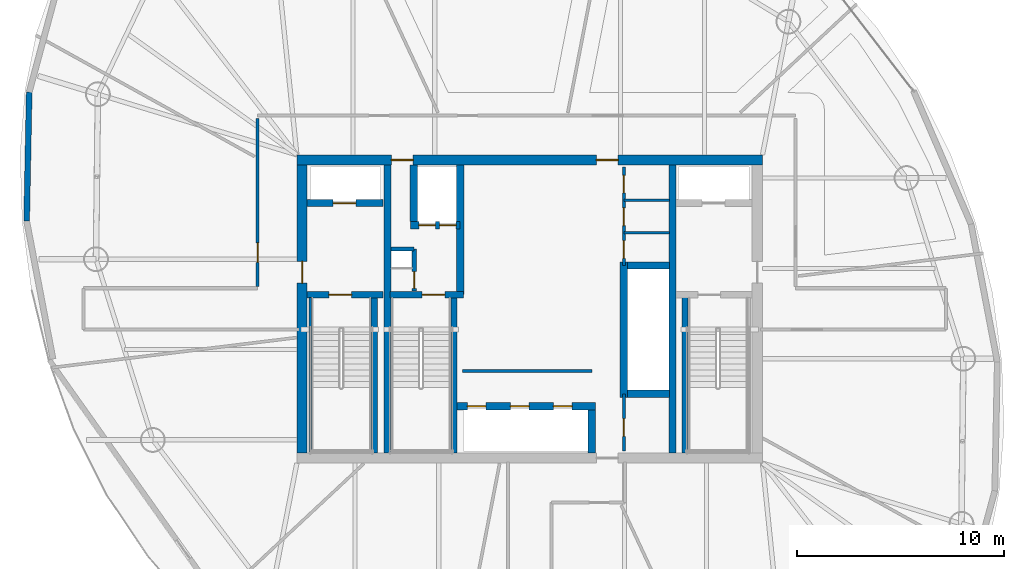
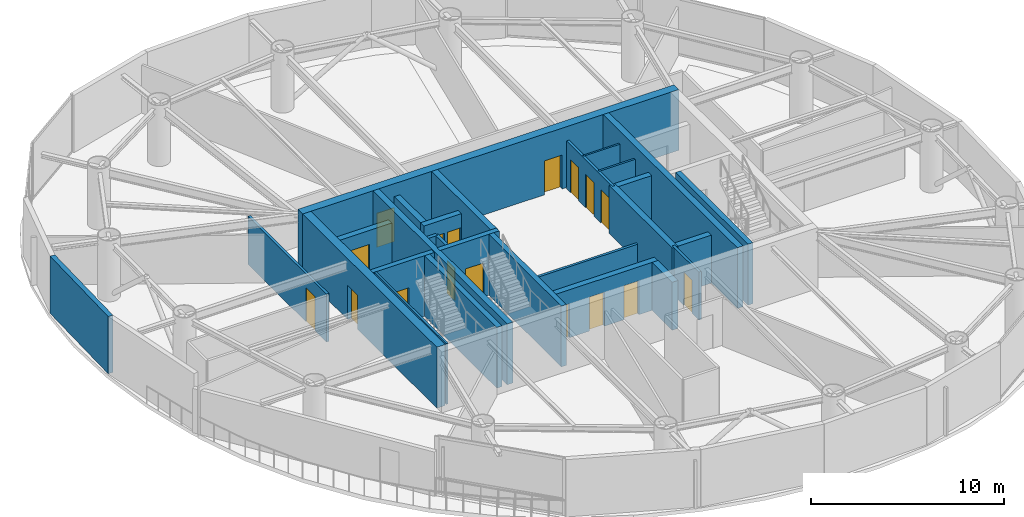
# One storey, part 12 of 16: 28 walls, 17 doors, 17 openings.
"""IFC4 building model written with IfcOpenShell, lengths in metres."""

from ifc_helpers import new_model, si_unit, direction, frame, frame_2d, origin, place, context, subcontext, project, spatial, rectangle, extrude, material, layer, layer_set, type_object, element, fill, save


model = new_model("IFC4")

# Units and contexts
model_context = context("Model", 3, precision=1e-05, world=origin(), true_north=direction((0.0, 1.0)))
body_context = subcontext(model_context, "Body", "Model", "MODEL_VIEW")
ifc_project = project(units=[si_unit("LENGTHUNIT", "METRE"), si_unit("AREAUNIT", "SQUARE_METRE"), si_unit("VOLUMEUNIT", "CUBIC_METRE"), si_unit("PLANEANGLEUNIT", "RADIAN"), si_unit("MASSUNIT", "GRAM", prefix="KILO")], contexts=[model_context])

# Site, building, storey
site_placement = place(None, origin())
site = spatial("IfcSite", under=ifc_project, at=site_placement, CompositionType="ELEMENT")
building_placement = place(site_placement, origin())
building = spatial("IfcBuilding", under=site, at=building_placement, Name="Bramvorn Convention Spire", CompositionType="ELEMENT")
storey_placement = place(building_placement, frame((0.0, 0.0, 209.699951171875)))
storey = spatial("IfcBuildingStorey", under=building, at=storey_placement, Name="L53", CompositionType="ELEMENT", Elevation=209.699951171875)

# Wall, openings, doors
ifc_material_1 = material(Name="Concrete C50/60", Category="concrete")
ifc_layer_1 = layer(ifc_material_1, 0.5)
ifc_layer_set_1 = layer_set([ifc_layer_1], Name="Concrete C50/60 - WL-CORE-500")
wall_type_1 = type_object("IfcWallType", Name="WL-CORE-500", PredefinedType="SHEAR", material=ifc_layer_set_1)
wall_1_placement = place(storey_placement, frame((26.75, 33.199951171875, 0.0), z_axis=(0.0, 0.0, 1.0), x_axis=(1.0, 0.0, 0.0)))
wall_1 = element("IfcWall", 1, at=wall_1_placement, inside=storey, type_object=wall_type_1, Name="L53 North RC core shear wall", PredefinedType="SHEAR", context=body_context, shape_type="SweptSolid", body=[
    extrude(rectangle(XDim=22.5, YDim=0.5, at=frame_2d((11.25, 0.0))), origin(), (0.0, 0.0, 1.0), 3.85009765625),
])
opening_1_placement = place(wall_1_placement, frame((4.570068359375, 0.0, 0.0)))
opening_1 = element("IfcOpeningElement", 2, at=opening_1_placement, cuts=wall_1, Name="Opening DL-105", PredefinedType="OPENING", context=body_context, shape_type="SweptSolid", body=[
    extrude(rectangle(XDim=1.050048828125, YDim=2.14990234375, at=frame_2d((0.52490234375, 1.074951171875))), frame((0.0, 0.260009765625, 0.0), z_axis=(0.0, -1.0, 0.0), x_axis=(1.0, 0.0, 0.0)), (0.0, 0.0, 1.0), 0.52001953125),
])
opening_2_placement = place(wall_1_placement, frame((14.469970703125, 0.0, 0.0)))
opening_2 = element("IfcOpeningElement", 3, at=opening_2_placement, cuts=wall_1, Name="Opening DL-105", PredefinedType="OPENING", context=body_context, shape_type="SweptSolid", body=[
    extrude(rectangle(XDim=1.050048828125, YDim=2.14990234375, at=frame_2d((0.52490234375, 1.074951171875))), frame((0.0, 0.260009765625, 0.0), z_axis=(0.0, -1.0, 0.0), x_axis=(1.0, 0.0, 0.0)), (0.0, 0.0, 1.0), 0.52001953125),
])
ifc_material_2 = material(Name="Smoke-Sealed Fire Lobby Timber-Core Door", Category="wood")
door_type_1 = type_object("IfcDoorType", Name="DR-LOBBY-1050", OperationType="NOTDEFINED", PredefinedType="DOOR", material=ifc_material_2)
door_1_placement = place(opening_1_placement, origin())
door_1 = element("IfcDoor", 4, at=door_1_placement, inside=storey, type_object=door_type_1, Name="L53 Service & Stair ST3 Lobby north corridor door", OperationType="SINGLE_SWING_LEFT", OverallHeight=2.14990234375, OverallWidth=1.050048828125, PredefinedType="DOOR", context=body_context, shape_type="SweptSolid", body=[
    extrude(rectangle(XDim=1.050048828125, YDim=2.14990234375, at=frame_2d((0.52490234375, 1.074951171875))), frame((0.0, 0.02490234375, 0.0), z_axis=(0.0, -1.0, 0.0), x_axis=(1.0, 0.0, 0.0)), (0.0, 0.0, 1.0), 0.050048828125),
])
fill(opening_1, door_1)
door_2_placement = place(opening_2_placement, origin())
door_2 = element("IfcDoor", 5, at=door_2_placement, inside=storey, type_object=door_type_1, Name="L53 North Lift Lobby fire door", OperationType="SINGLE_SWING_LEFT", OverallHeight=2.14990234375, OverallWidth=1.050048828125, PredefinedType="DOOR", context=body_context, shape_type="SweptSolid", body=[
    extrude(rectangle(XDim=1.050048828125, YDim=2.14990234375, at=frame_2d((0.52490234375, 1.074951171875))), frame((0.0, 0.02490234375, 0.0), z_axis=(0.0, -1.0, 0.0), x_axis=(1.0, 0.0, 0.0)), (0.0, 0.0, 1.0), 0.050048828125),
])
fill(opening_2, door_2)

# Wall, opening, door
wall_2_placement = place(storey_placement, frame((27.0, 19.050048828125, 0.0), z_axis=(0.0, 0.0, 1.0), x_axis=(0.0, 1.0, 0.0)))
wall_2 = element("IfcWall", 6, at=wall_2_placement, inside=storey, type_object=wall_type_1, Name="L53 West RC core shear wall", PredefinedType="SHEAR", context=body_context, shape_type="SweptSolid", body=[
    extrude(rectangle(XDim=13.89990234375, YDim=0.5, at=frame_2d((6.949951171875, 0.0))), origin(), (0.0, 0.0, 1.0), 3.85009765625),
])
opening_3_placement = place(wall_2_placement, frame((8.199951171875, 0.0, 0.0)))
opening_3 = element("IfcOpeningElement", 7, at=opening_3_placement, cuts=wall_2, Name="Opening DL-105", PredefinedType="OPENING", context=body_context, shape_type="SweptSolid", body=[
    extrude(rectangle(XDim=1.050048828125, YDim=2.14990234375, at=frame_2d((0.52490234375, 1.074951171875))), frame((0.0, 0.260009765625, 0.0), z_axis=(0.0, -1.0, 0.0), x_axis=(1.0, 0.0, 0.0)), (0.0, 0.0, 1.0), 0.52001953125),
])
door_3_placement = place(opening_3_placement, origin())
door_3 = element("IfcDoor", 8, at=door_3_placement, inside=storey, type_object=door_type_1, Name="L53 West Firefighting Lobby corridor door", OperationType="SINGLE_SWING_RIGHT", OverallHeight=2.14990234375, OverallWidth=1.050048828125, PredefinedType="DOOR", context=body_context, shape_type="SweptSolid", body=[
    extrude(rectangle(XDim=1.050048828125, YDim=2.14990234375, at=frame_2d((0.52490234375, 1.074951171875))), frame((0.0, 0.02490234375, 0.0), z_axis=(0.0, -1.0, 0.0), x_axis=(1.0, 0.0, 0.0)), (0.0, 0.0, 1.0), 0.050048828125),
])
fill(opening_3, door_3)

# Walls
ifc_layer_2 = layer(ifc_material_1, 0.35009765625)
ifc_layer_set_2 = layer_set([ifc_layer_2], Name="Concrete C50/60 - WL-CORE-INT-350")
wall_type_2 = type_object("IfcWallType", Name="WL-CORE-INT-350", PredefinedType="SHEAR", material=ifc_layer_set_2)
for number, where, z_axis, x_axis, name in (
    (9, (31.1298828125, 19.050048828125, 0.0), (0.0, 0.0, 1.0), (0.0, 1.0, 0.0), "L53 West internal core shear web"),
    (10, (44.89990234375, 19.050048828125, 0.0), (0.0, 0.0, 1.0), (0.0, 1.0, 0.0), "L53 East internal core shear web"),
):
    element("IfcWall", number, at=place(storey_placement, frame(where, z_axis=z_axis, x_axis=x_axis)), inside=storey, type_object=wall_type_2, Name=name, PredefinedType="SHEAR", context=body_context, shape_type="SweptSolid", body=[
        extrude(rectangle(XDim=13.89990234375, YDim=0.35009765625, at=frame_2d((6.949951171875, 0.0))), origin(), (0.0, 0.0, 1.0), 3.85009765625),
    ])

# Wall, opening, door
wall_3_placement = place(storey_placement, frame((27.25, 31.1201171875, 0.0), z_axis=(0.0, 0.0, 1.0), x_axis=(1.0, 0.0, 0.0)))
wall_3 = element("IfcWall", 11, at=wall_3_placement, inside=storey, type_object=wall_type_2, Name="L53 FE1 shaft front wall", PredefinedType="SHEAR", context=body_context, shape_type="SweptSolid", body=[
    extrude(rectangle(XDim=3.669921875, YDim=0.35009765625, at=frame_2d((1.8349609375, 0.0))), origin(), (0.0, 0.0, 1.0), 3.03515625),
])
opening_4_placement = place(wall_3_placement, frame((1.25, 0.0, 0.0)))
opening_4 = element("IfcOpeningElement", 12, at=opening_4_placement, cuts=wall_3, Name="Opening LD-110", PredefinedType="OPENING", context=body_context, shape_type="SweptSolid", body=[
    extrude(rectangle(XDim=1.10009765625, YDim=2.14990234375, at=frame_2d((0.550048828125, 1.074951171875))), frame((0.0, 0.18505859375, 0.0), z_axis=(0.0, -1.0, 0.0), x_axis=(1.0, 0.0, 0.0)), (0.0, 0.0, 1.0), 0.3701171875),
])
ifc_material_3 = material(Name="Firefighting & Service Lift Sliding Landing Door", Category="steel")
door_type_2 = type_object("IfcDoorType", Name="DR-LIFT-LD-1100", OperationType="NOTDEFINED", PredefinedType="DOOR", material=ifc_material_3)
door_4_placement = place(opening_4_placement, origin())
door_4 = element("IfcDoor", 13, at=door_4_placement, inside=storey, type_object=door_type_2, Name="L53 Lift FE1 Sliding Landing Door", OperationType="SLIDING_TO_LEFT", OverallHeight=2.14990234375, OverallWidth=1.10009765625, PredefinedType="DOOR", context=body_context, shape_type="SweptSolid", body=[
    extrude(rectangle(XDim=1.10009765625, YDim=2.14990234375, at=frame_2d((0.550048828125, 1.074951171875))), frame((0.0, 0.02490234375, 0.0), z_axis=(0.0, -1.0, 0.0), x_axis=(1.0, 0.0, 0.0)), (0.0, 0.0, 1.0), 0.050048828125),
])
fill(opening_4, door_4)

# Wall
wall_4_placement = place(storey_placement, frame((34.639892578125, 26.68994140625, 0.0), z_axis=(0.0, 0.0, 1.0), x_axis=(0.0, 1.0, 0.0)))
element("IfcWall", 14, at=wall_4_placement, inside=storey, type_object=wall_type_2, Name="L53 SV east core shaft wall", PredefinedType="SHEAR", context=body_context, shape_type="SweptSolid", body=[
    extrude(rectangle(XDim=6.260009765625, YDim=0.35009765625, at=frame_2d((3.1298828125, 0.0))), origin(), (0.0, 0.0, 1.0), 3.85009765625),
])

# Wall, openings, doors
wall_5_placement = place(storey_placement, frame((32.22998046875, 30.050048828125, 0.0), z_axis=(0.0, 0.0, 1.0), x_axis=(1.0, 0.0, 0.0)))
wall_5 = element("IfcWall", 15, at=wall_5_placement, inside=storey, type_object=wall_type_2, Name="L53 SV1/SV2 shaft front wall", PredefinedType="SHEAR", context=body_context, shape_type="SweptSolid", body=[
    extrude(rectangle(XDim=2.409912109375, YDim=0.35009765625, at=frame_2d((1.205078125, 0.0))), origin(), (0.0, 0.0, 1.0), 3.03515625),
])
opening_5_placement = place(wall_5_placement, frame((0.419921875, 0.0, 0.0)))
opening_5 = element("IfcOpeningElement", 16, at=opening_5_placement, cuts=wall_5, Name="Opening LD-080", PredefinedType="OPENING", context=body_context, shape_type="SweptSolid", body=[
    extrude(rectangle(XDim=0.800048828125, YDim=2.14990234375, at=frame_2d((0.39990234375, 1.074951171875))), frame((0.0, 0.18505859375, 0.0), z_axis=(0.0, -1.0, 0.0), x_axis=(1.0, 0.0, 0.0)), (0.0, 0.0, 1.0), 0.3701171875),
])
opening_6_placement = place(wall_5_placement, frame((1.419921875, 0.0, 0.0)))
opening_6 = element("IfcOpeningElement", 17, at=opening_6_placement, cuts=wall_5, Name="Opening LD-080", PredefinedType="OPENING", context=body_context, shape_type="SweptSolid", body=[
    extrude(rectangle(XDim=0.800048828125, YDim=2.14990234375, at=frame_2d((0.39990234375, 1.074951171875))), frame((0.0, 0.18505859375, 0.0), z_axis=(0.0, -1.0, 0.0), x_axis=(1.0, 0.0, 0.0)), (0.0, 0.0, 1.0), 0.3701171875),
])
ifc_material_4 = material(Name="Service Lift Bi-Parting Landing Door", Category="steel")
door_type_3 = type_object("IfcDoorType", Name="DR-LIFT-LD-800", OperationType="NOTDEFINED", PredefinedType="DOOR", material=ifc_material_4)
door_5_placement = place(opening_5_placement, origin())
door_5 = element("IfcDoor", 18, at=door_5_placement, inside=storey, type_object=door_type_3, Name="L53 Lift SV1 Sliding Landing Door", OperationType="SLIDING_TO_LEFT", OverallHeight=2.14990234375, OverallWidth=0.800048828125, PredefinedType="DOOR", context=body_context, shape_type="SweptSolid", body=[
    extrude(rectangle(XDim=0.800048828125, YDim=2.14990234375, at=frame_2d((0.39990234375, 1.074951171875))), frame((0.0, 0.02490234375, 0.0), z_axis=(0.0, -1.0, 0.0), x_axis=(1.0, 0.0, 0.0)), (0.0, 0.0, 1.0), 0.050048828125),
])
fill(opening_5, door_5)
door_6_placement = place(opening_6_placement, origin())
door_6 = element("IfcDoor", 19, at=door_6_placement, inside=storey, type_object=door_type_3, Name="L53 Lift SV2 Sliding Landing Door", OperationType="SLIDING_TO_LEFT", OverallHeight=2.14990234375, OverallWidth=0.800048828125, PredefinedType="DOOR", context=body_context, shape_type="SweptSolid", body=[
    extrude(rectangle(XDim=0.800048828125, YDim=2.14990234375, at=frame_2d((0.39990234375, 1.074951171875))), frame((0.0, 0.02490234375, 0.0), z_axis=(0.0, -1.0, 0.0), x_axis=(1.0, 0.0, 0.0)), (0.0, 0.0, 1.0), 0.050048828125),
])
fill(opening_6, door_6)

# Walls
wall_6_placement = place(storey_placement, frame((32.39990234375, 30.219970703125, 0.0), z_axis=(0.0, 0.0, 1.0), x_axis=(0.0, 1.0, 0.0)))
element("IfcWall", 20, at=wall_6_placement, inside=storey, type_object=wall_type_2, Name="L53 SV1 west hoistway wall", PredefinedType="SHEAR", context=body_context, shape_type="SweptSolid", body=[
    extrude(rectangle(XDim=2.72998046875, YDim=0.35009765625, at=frame_2d((1.364990234375, 0.0))), origin(), (0.0, 0.0, 1.0), 3.03515625),
])
wall_7_placement = place(storey_placement, frame((42.550048828125, 21.72998046875, 0.0), z_axis=(0.0, 0.0, 1.0), x_axis=(0.0, 1.0, 0.0)))
element("IfcWall", 21, at=wall_7_placement, inside=storey, type_object=wall_type_2, Name="L53 High-rise lift bank west wall", PredefinedType="SHEAR", context=body_context, shape_type="SweptSolid", body=[
    extrude(rectangle(XDim=6.5400390625, YDim=0.35009765625, at=frame_2d((3.27001953125, 0.0))), origin(), (0.0, 0.0, 1.0), 3.03515625),
])
for number, where, z_axis, x_axis, name in (
    (22, (42.719970703125, 21.89990234375, 0.0), (0.0, 0.0, 1.0), (1.0, 0.0, 0.0), "L53 High-rise lift bank south wall"),
    (23, (42.719970703125, 28.10009765625, 0.0), (0.0, 0.0, 1.0), (1.0, 0.0, 0.0), "L53 High-rise lift bank north wall"),
):
    element("IfcWall", number, at=place(storey_placement, frame(where, z_axis=z_axis, x_axis=x_axis)), inside=storey, type_object=wall_type_2, Name=name, PredefinedType="SHEAR", context=body_context, shape_type="SweptSolid", body=[
        extrude(rectangle(XDim=2.030029296875, YDim=0.35009765625, at=frame_2d((1.01513671875, 0.0))), origin(), (0.0, 0.0, 1.0), 3.03515625),
    ])

# Wall, openings, doors
wall_8_placement = place(storey_placement, frame((34.489990234375, 21.300048828125, 0.0), z_axis=(0.0, 0.0, 1.0), x_axis=(1.0, 0.0, 0.0)))
wall_8 = element("IfcWall", 24, at=wall_8_placement, inside=storey, type_object=wall_type_2, Name="L53 Mid-rise bank north landing wall", PredefinedType="SHEAR", context=body_context, shape_type="SweptSolid", body=[
    extrude(rectangle(XDim=6.679931640625, YDim=0.35009765625, at=frame_2d((3.33984375, 0.0))), origin(), (0.0, 0.0, 1.0), 3.03515625),
])
opening_7_placement = place(wall_8_placement, frame((0.5, 0.0, 0.0)))
opening_7 = element("IfcOpeningElement", 25, at=opening_7_placement, cuts=wall_8, Name="Opening LD-090", PredefinedType="OPENING", context=body_context, shape_type="SweptSolid", body=[
    extrude(rectangle(XDim=0.89990234375, YDim=2.14990234375, at=frame_2d((0.449951171875, 1.074951171875))), frame((0.0, 0.18505859375, 0.0), z_axis=(0.0, -1.0, 0.0), x_axis=(1.0, 0.0, 0.0)), (0.0, 0.0, 1.0), 0.3701171875),
])
opening_8_placement = place(wall_8_placement, frame((2.580078125, 0.0, 0.0)))
opening_8 = element("IfcOpeningElement", 26, at=opening_8_placement, cuts=wall_8, Name="Opening LD-090", PredefinedType="OPENING", context=body_context, shape_type="SweptSolid", body=[
    extrude(rectangle(XDim=0.89990234375, YDim=2.14990234375, at=frame_2d((0.449951171875, 1.074951171875))), frame((0.0, 0.18505859375, 0.0), z_axis=(0.0, -1.0, 0.0), x_axis=(1.0, 0.0, 0.0)), (0.0, 0.0, 1.0), 0.3701171875),
])
opening_9_placement = place(wall_8_placement, frame((4.659912109375, 0.0, 0.0)))
opening_9 = element("IfcOpeningElement", 27, at=opening_9_placement, cuts=wall_8, Name="Opening LD-090", PredefinedType="OPENING", context=body_context, shape_type="SweptSolid", body=[
    extrude(rectangle(XDim=0.89990234375, YDim=2.14990234375, at=frame_2d((0.449951171875, 1.074951171875))), frame((0.0, 0.18505859375, 0.0), z_axis=(0.0, -1.0, 0.0), x_axis=(1.0, 0.0, 0.0)), (0.0, 0.0, 1.0), 0.3701171875),
])
ifc_material_5 = material(Name="Bi-Parting Fire-Rated Lift Landing Door", Category="steel")
door_type_4 = type_object("IfcDoorType", Name="DR-LIFT-LD-900", OperationType="NOTDEFINED", PredefinedType="DOOR", material=ifc_material_5)
door_7_placement = place(opening_7_placement, origin())
door_7 = element("IfcDoor", 28, at=door_7_placement, inside=storey, type_object=door_type_4, Name="L53 Lift PM1 Sliding Landing Door", OperationType="SLIDING_TO_LEFT", OverallHeight=2.14990234375, OverallWidth=0.89990234375, PredefinedType="DOOR", context=body_context, shape_type="SweptSolid", body=[
    extrude(rectangle(XDim=0.89990234375, YDim=2.14990234375, at=frame_2d((0.449951171875, 1.074951171875))), frame((0.0, 0.02490234375, 0.0), z_axis=(0.0, -1.0, 0.0), x_axis=(1.0, 0.0, 0.0)), (0.0, 0.0, 1.0), 0.050048828125),
])
fill(opening_7, door_7)
door_8_placement = place(opening_8_placement, origin())
door_8 = element("IfcDoor", 29, at=door_8_placement, inside=storey, type_object=door_type_4, Name="L53 Lift PM2 Sliding Landing Door", OperationType="SLIDING_TO_LEFT", OverallHeight=2.14990234375, OverallWidth=0.89990234375, PredefinedType="DOOR", context=body_context, shape_type="SweptSolid", body=[
    extrude(rectangle(XDim=0.89990234375, YDim=2.14990234375, at=frame_2d((0.449951171875, 1.074951171875))), frame((0.0, 0.02490234375, 0.0), z_axis=(0.0, -1.0, 0.0), x_axis=(1.0, 0.0, 0.0)), (0.0, 0.0, 1.0), 0.050048828125),
])
fill(opening_8, door_8)
door_9_placement = place(opening_9_placement, origin())
door_9 = element("IfcDoor", 30, at=door_9_placement, inside=storey, type_object=door_type_4, Name="L53 Lift PM3 Sliding Landing Door", OperationType="SLIDING_TO_LEFT", OverallHeight=2.14990234375, OverallWidth=0.89990234375, PredefinedType="DOOR", context=body_context, shape_type="SweptSolid", body=[
    extrude(rectangle(XDim=0.89990234375, YDim=2.14990234375, at=frame_2d((0.449951171875, 1.074951171875))), frame((0.0, 0.02490234375, 0.0), z_axis=(0.0, -1.0, 0.0), x_axis=(1.0, 0.0, 0.0)), (0.0, 0.0, 1.0), 0.050048828125),
])
fill(opening_9, door_9)

# Walls
wall_9_placement = place(storey_placement, frame((41.0, 19.050048828125, 0.0), z_axis=(0.0, 0.0, 1.0), x_axis=(0.0, 1.0, 0.0)))
element("IfcWall", 31, at=wall_9_placement, inside=storey, type_object=wall_type_2, Name="L53 Mid-rise bank east cheek wall", PredefinedType="SHEAR", context=body_context, shape_type="SweptSolid", body=[
    extrude(rectangle(XDim=2.079833984375, YDim=0.35009765625, at=frame_2d((1.0400390625, 0.0))), origin(), (0.0, 0.0, 1.0), 3.03515625),
])
ifc_material_6 = material(Name="Precast Concrete C40/50 with Bronze Terracotta Rainscreen", Category="masonry")
ifc_layer_3 = layer(ifc_material_6, 0.300048828125)
ifc_layer_set_3 = layer_set([ifc_layer_3], Name="Precast Concrete C40/50 with Bronze Terracotta Rainscreen - WL-EXT-BRONZE-300")
wall_type_3 = type_object("IfcWallType", Name="WL-EXT-BRONZE-300", PredefinedType="SOLIDWALL", material=ifc_layer_set_3)
wall_10_placement = place(storey_placement, frame((13.695068359375, 30.25, 0.0), z_axis=(0.0, 0.0, 1.0), x_axis=(0.019683232509, 0.999806266413, 0.0)))
element("IfcWall", 32, at=wall_10_placement, inside=storey, type_object=wall_type_3, Name="L53 expressed bronze Gothic lancet pier wall 15", PredefinedType="SOLIDWALL", context=body_context, shape_type="SweptSolid", body=[
    extrude(rectangle(XDim=6.2265625, YDim=0.280029296875, at=frame_2d((3.11328125, 0.0))), origin(), (0.0, 0.0, 1.0), 3.6201171875),
])
ifc_material_7 = material(Name="Lightweight En-Suite & Wet-Wall Partition", Category="gypsum")
ifc_layer_4 = layer(ifc_material_7, 0.110107421875)
ifc_layer_set_4 = layer_set([ifc_layer_4], Name="Lightweight En-Suite & Wet-Wall Partition - WL-PART-110")
wall_type_4 = type_object("IfcWallType", Name="WL-PART-110", PredefinedType="PARTITIONING", material=ifc_layer_set_4)
for number, where, z_axis, x_axis, name in (
    (33, (42.550048828125, 29.679931640625, 0.0), (0.0, 0.0, 1.0), (1.0, 0.0, 0.0), "L53 KC NE div 1"),
    (34, (42.550048828125, 31.260009765625, 0.0), (0.0, 0.0, 1.0), (1.0, 0.0, 0.0), "L53 KC NE div 2"),
):
    element("IfcWall", number, at=place(storey_placement, frame(where, z_axis=z_axis, x_axis=x_axis)), inside=storey, type_object=wall_type_4, Name=name, PredefinedType="PARTITIONING", context=body_context, shape_type="SweptSolid", body=[
        extrude(rectangle(XDim=2.199951171875, YDim=0.110107421875, at=frame_2d((1.10009765625, 0.0))), origin(), (0.0, 0.0, 1.0), 3.03515625),
    ])
ifc_material_8 = material(Name="Acoustic Metal-Stud Tenant/Corridor Partition", Category="gypsum")
ifc_layer_5 = layer(ifc_material_8, 0.14990234375)
ifc_layer_set_5 = layer_set([ifc_layer_5], Name="Acoustic Metal-Stud Tenant/Corridor Partition - WL-PART-150")
wall_type_5 = type_object("IfcWallType", Name="WL-PART-150", PredefinedType="PARTITIONING", material=ifc_layer_set_5)
wall_11_placement = place(storey_placement, frame((34.75, 23.0, 0.0), z_axis=(0.0, 0.0, 1.0), x_axis=(1.0, 0.0, 0.0)))
element("IfcWall", 35, at=wall_11_placement, inside=storey, type_object=wall_type_5, Name="L53 Mid-rise lift vestibule north wall", PredefinedType="PARTITIONING", context=body_context, shape_type="SweptSolid", body=[
    extrude(rectangle(XDim=6.25, YDim=0.14990234375, at=frame_2d((3.125, 0.0))), origin(), (0.0, 0.0, 1.0), 3.03515625),
])

# Wall, openings, doors
wall_12_placement = place(storey_placement, frame((42.550048828125, 28.10009765625, 0.0), z_axis=(0.0, 0.0, 1.0), x_axis=(0.0, 1.0, 0.0)))
wall_12 = element("IfcWall", 36, at=wall_12_placement, inside=storey, type_object=wall_type_5, Name="L53 KC NE wall", PredefinedType="PARTITIONING", context=body_context, shape_type="SweptSolid", body=[
    extrude(rectangle(XDim=4.75, YDim=0.14990234375, at=frame_2d((2.375, 0.0))), origin(), (0.0, 0.0, 1.0), 3.03515625),
])
opening_10_placement = place(wall_12_placement, frame((0.35009765625, 0.0, 0.0)))
opening_10 = element("IfcOpeningElement", 37, at=opening_10_placement, cuts=wall_12, Name="Opening DC-085", PredefinedType="OPENING", context=body_context, shape_type="SweptSolid", body=[
    extrude(rectangle(XDim=0.85009765625, YDim=2.10009765625, at=frame_2d((0.425048828125, 1.050048828125))), frame((0.0, 0.0849609375, 0.0), z_axis=(0.0, -1.0, 0.0), x_axis=(1.0, 0.0, 0.0)), (0.0, 0.0, 1.0), 0.169921875),
])
opening_11_placement = place(wall_12_placement, frame((1.929931640625, 0.0, 0.0)))
opening_11 = element("IfcOpeningElement", 38, at=opening_11_placement, cuts=wall_12, Name="Opening DC-085", PredefinedType="OPENING", context=body_context, shape_type="SweptSolid", body=[
    extrude(rectangle(XDim=0.85009765625, YDim=2.10009765625, at=frame_2d((0.425048828125, 1.050048828125))), frame((0.0, 0.0849609375, 0.0), z_axis=(0.0, -1.0, 0.0), x_axis=(1.0, 0.0, 0.0)), (0.0, 0.0, 1.0), 0.169921875),
])
opening_12_placement = place(wall_12_placement, frame((3.510009765625, 0.0, 0.0)))
opening_12 = element("IfcOpeningElement", 39, at=opening_12_placement, cuts=wall_12, Name="Opening DC-085", PredefinedType="OPENING", context=body_context, shape_type="SweptSolid", body=[
    extrude(rectangle(XDim=0.85009765625, YDim=2.10009765625, at=frame_2d((0.425048828125, 1.050048828125))), frame((0.0, 0.0849609375, 0.0), z_axis=(0.0, -1.0, 0.0), x_axis=(1.0, 0.0, 0.0)), (0.0, 0.0, 1.0), 0.169921875),
])
ifc_material_9 = material(Name="Fire-Rated Core Washroom & IDF Door", Category="wood")
door_type_5 = type_object("IfcDoorType", Name="DR-CORE-850", OperationType="NOTDEFINED", PredefinedType="DOOR", material=ifc_material_9)
door_10_placement = place(opening_10_placement, origin())
door_10 = element("IfcDoor", 40, at=door_10_placement, inside=storey, type_object=door_type_5, Name="L53 Accessible Core Restroom door", OperationType="SINGLE_SWING_LEFT", OverallHeight=2.10009765625, OverallWidth=0.85009765625, PredefinedType="DOOR", context=body_context, shape_type="SweptSolid", body=[
    extrude(rectangle(XDim=0.85009765625, YDim=2.10009765625, at=frame_2d((0.425048828125, 1.050048828125))), frame((0.0, 0.02490234375, 0.0), z_axis=(0.0, -1.0, 0.0), x_axis=(1.0, 0.0, 0.0)), (0.0, 0.0, 1.0), 0.050048828125),
])
fill(opening_10, door_10)
door_11_placement = place(opening_11_placement, origin())
door_11 = element("IfcDoor", 41, at=door_11_placement, inside=storey, type_object=door_type_5, Name="L53 Tenant Pantry & Copy Centre door", OperationType="SINGLE_SWING_LEFT", OverallHeight=2.10009765625, OverallWidth=0.85009765625, PredefinedType="DOOR", context=body_context, shape_type="SweptSolid", body=[
    extrude(rectangle(XDim=0.85009765625, YDim=2.10009765625, at=frame_2d((0.425048828125, 1.050048828125))), frame((0.0, 0.02490234375, 0.0), z_axis=(0.0, -1.0, 0.0), x_axis=(1.0, 0.0, 0.0)), (0.0, 0.0, 1.0), 0.050048828125),
])
fill(opening_11, door_11)
door_12_placement = place(opening_12_placement, origin())
door_12 = element("IfcDoor", 42, at=door_12_placement, inside=storey, type_object=door_type_5, Name="L53 Core Comms Closet door", OperationType="SINGLE_SWING_LEFT", OverallHeight=2.10009765625, OverallWidth=0.85009765625, PredefinedType="DOOR", context=body_context, shape_type="SweptSolid", body=[
    extrude(rectangle(XDim=0.85009765625, YDim=2.10009765625, at=frame_2d((0.425048828125, 1.050048828125))), frame((0.0, 0.02490234375, 0.0), z_axis=(0.0, -1.0, 0.0), x_axis=(1.0, 0.0, 0.0)), (0.0, 0.0, 1.0), 0.050048828125),
])
fill(opening_12, door_12)

# Wall, opening, door
wall_13_placement = place(storey_placement, frame((42.550048828125, 19.14990234375, 0.0), z_axis=(0.0, 0.0, 1.0), x_axis=(0.0, 1.0, 0.0)))
wall_13 = element("IfcWall", 43, at=wall_13_placement, inside=storey, type_object=wall_type_5, Name="L53 KC SE wall", PredefinedType="PARTITIONING", context=body_context, shape_type="SweptSolid", body=[
    extrude(rectangle(XDim=2.75, YDim=0.14990234375, at=frame_2d((1.375, 0.0))), origin(), (0.0, 0.0, 1.0), 3.03515625),
])
opening_13_placement = place(wall_13_placement, frame((0.699951171875, 0.0, 0.0)))
opening_13 = element("IfcOpeningElement", 44, at=opening_13_placement, cuts=wall_13, Name="Opening DC-085", PredefinedType="OPENING", context=body_context, shape_type="SweptSolid", body=[
    extrude(rectangle(XDim=0.85009765625, YDim=2.10009765625, at=frame_2d((0.425048828125, 1.050048828125))), frame((0.0, 0.0849609375, 0.0), z_axis=(0.0, -1.0, 0.0), x_axis=(1.0, 0.0, 0.0)), (0.0, 0.0, 1.0), 0.169921875),
])
door_13_placement = place(opening_13_placement, origin())
door_13 = element("IfcDoor", 45, at=door_13_placement, inside=storey, type_object=door_type_5, Name="L53 Core Valve & Riser Room door", OperationType="SINGLE_SWING_LEFT", OverallHeight=2.10009765625, OverallWidth=0.85009765625, PredefinedType="DOOR", context=body_context, shape_type="SweptSolid", body=[
    extrude(rectangle(XDim=0.85009765625, YDim=2.10009765625, at=frame_2d((0.425048828125, 1.050048828125))), frame((0.0, 0.02490234375, 0.0), z_axis=(0.0, -1.0, 0.0), x_axis=(1.0, 0.0, 0.0)), (0.0, 0.0, 1.0), 0.050048828125),
])
fill(opening_13, door_13)

wall_14_placement = place(storey_placement, frame((24.85009765625, 27.080078125, 0.0), z_axis=(0.0, 0.0, 1.0), x_axis=(0.0, 1.0, 0.0)))
wall_14 = element("IfcWall", 46, at=wall_14_placement, inside=storey, type_object=wall_type_5, Name="L53 NW gallery cheek", PredefinedType="PARTITIONING", context=body_context, shape_type="SweptSolid", body=[
    extrude(rectangle(XDim=8.119873046875, YDim=0.14990234375, at=frame_2d((4.06005859375, 0.0))), origin(), (0.0, 0.0, 1.0), 3.03515625),
])
opening_14_placement = place(wall_14_placement, frame((1.168701171875, 0.0, 0.0)))
opening_14 = element("IfcOpeningElement", 47, at=opening_14_placement, cuts=wall_14, Name="Opening DH-095", PredefinedType="OPENING", context=body_context, shape_type="SweptSolid", body=[
    extrude(rectangle(XDim=0.949951171875, YDim=2.14990234375, at=frame_2d((0.47509765625, 1.074951171875))), frame((0.0, 0.0849609375, 0.0), z_axis=(0.0, -1.0, 0.0), x_axis=(1.0, 0.0, 0.0)), (0.0, 0.0, 1.0), 0.169921875),
])
ifc_material_10 = material(Name="Solid-Core Acoustic Guestroom Entry Door", Category="wood")
door_type_6 = type_object("IfcDoorType", Name="DR-HOTEL-950", OperationType="NOTDEFINED", PredefinedType="DOOR", material=ifc_material_10)
door_14_placement = place(opening_14_placement, origin())
door_14 = element("IfcDoor", 48, at=door_14_placement, inside=storey, type_object=door_type_6, Name="L53 Materials Library Store 5 door", OperationType="SINGLE_SWING_RIGHT", OverallHeight=2.14990234375, OverallWidth=0.949951171875, PredefinedType="DOOR", context=body_context, shape_type="SweptSolid", body=[
    extrude(rectangle(XDim=0.949951171875, YDim=2.14990234375, at=frame_2d((0.47509765625, 1.074951171875))), frame((0.0, 0.02490234375, 0.0), z_axis=(0.0, -1.0, 0.0), x_axis=(1.0, 0.0, 0.0)), (0.0, 0.0, 1.0), 0.050048828125),
])
fill(opening_14, door_14)

ifc_material_11 = material(Name="Gypsum Shaftwall & Rockwool Core Partition", Category="gypsum")
ifc_layer_6 = layer(ifc_material_11, 0.199951171875)
ifc_layer_set_6 = layer_set([ifc_layer_6], Name="Gypsum Shaftwall & Rockwool Core Partition - WL-PART-200-FR")
wall_type_6 = type_object("IfcWallType", Name="WL-PART-200-FR", PredefinedType="PARTITIONING", material=ifc_layer_set_6)
wall_15_placement = place(storey_placement, frame((32.419921875, 26.860107421875, 0.0), z_axis=(0.0, 0.0, 1.0), x_axis=(0.0, 1.0, 0.0)))
wall_15 = element("IfcWall", 49, at=wall_15_placement, inside=storey, type_object=wall_type_6, Name="L53 Telecom riser east wall", PredefinedType="PARTITIONING", context=body_context, shape_type="SweptSolid", body=[
    extrude(rectangle(XDim=2.039794921875, YDim=0.199951171875, at=frame_2d((1.02001953125, 0.0))), origin(), (0.0, 0.0, 1.0), 3.03515625),
])
opening_15_placement = place(wall_15_placement, frame((0.139892578125, 0.0, 0.0)))
opening_15 = element("IfcOpeningElement", 50, at=opening_15_placement, cuts=wall_15, Name="Opening DR-080", PredefinedType="OPENING", context=body_context, shape_type="SweptSolid", body=[
    extrude(rectangle(XDim=0.800048828125, YDim=2.050048828125, at=frame_2d((0.39990234375, 1.02490234375))), frame((0.0, 0.10986328125, 0.0), z_axis=(0.0, -1.0, 0.0), x_axis=(1.0, 0.0, 0.0)), (0.0, 0.0, 1.0), 0.219970703125),
])
ifc_material_12 = material(Name="Flush Steel Riser Access Door", Category="steel")
door_type_7 = type_object("IfcDoorType", Name="DR-RISER-800", OperationType="NOTDEFINED", PredefinedType="DOOR", material=ifc_material_12)
door_15_placement = place(opening_15_placement, origin())
door_15 = element("IfcDoor", 51, at=door_15_placement, inside=storey, type_object=door_type_7, Name="L53 Telecom riser access door", OperationType="SINGLE_SWING_RIGHT", OverallHeight=2.050048828125, OverallWidth=0.800048828125, PredefinedType="DOOR", context=body_context, shape_type="SweptSolid", body=[
    extrude(rectangle(XDim=0.800048828125, YDim=2.050048828125, at=frame_2d((0.39990234375, 1.02490234375))), frame((0.0, 0.02490234375, 0.0), z_axis=(0.0, -1.0, 0.0), x_axis=(1.0, 0.0, 0.0)), (0.0, 0.0, 1.0), 0.050048828125),
])
fill(opening_15, door_15)

# Wall
wall_16_placement = place(storey_placement, frame((31.300048828125, 28.89990234375, 0.0), z_axis=(0.0, 0.0, 1.0), x_axis=(1.0, 0.0, 0.0)))
element("IfcWall", 52, at=wall_16_placement, inside=storey, type_object=wall_type_6, Name="L53 Telecom riser north wall", PredefinedType="PARTITIONING", context=body_context, shape_type="SweptSolid", body=[
    extrude(rectangle(XDim=1.119873046875, YDim=0.199951171875, at=frame_2d((0.56005859375, 0.0))), origin(), (0.0, 0.0, 1.0), 3.03515625),
])

# Wall, opening, door
ifc_layer_7 = layer(ifc_material_1, 0.300048828125)
ifc_layer_set_7 = layer_set([ifc_layer_7], Name="Concrete C50/60 - WL-POD-STAIR-300")
wall_type_7 = type_object("IfcWallType", Name="WL-POD-STAIR-300", PredefinedType="SHEAR", material=ifc_layer_set_7)
wall_17_placement = place(storey_placement, frame((27.25, 26.68994140625, 0.0), z_axis=(0.0, 0.0, 1.0), x_axis=(1.0, 0.0, 0.0)))
wall_17 = element("IfcWall", 53, at=wall_17_placement, inside=storey, type_object=wall_type_7, Name="L53 ST1 north fire wall", PredefinedType="SHEAR", context=body_context, shape_type="SweptSolid", body=[
    extrude(rectangle(XDim=3.669921875, YDim=0.300048828125, at=frame_2d((1.8349609375, 0.0))), origin(), (0.0, 0.0, 1.0), 3.85009765625),
])
opening_16_placement = place(wall_17_placement, frame((1.050048828125, 0.0, 0.0)))
opening_16 = element("IfcOpeningElement", 54, at=opening_16_placement, cuts=wall_17, Name="Opening DS-110", PredefinedType="OPENING", context=body_context, shape_type="SweptSolid", body=[
    extrude(rectangle(XDim=1.10009765625, YDim=2.14990234375, at=frame_2d((0.550048828125, 1.074951171875))), frame((0.0, 0.159912109375, 0.0), z_axis=(0.0, -1.0, 0.0), x_axis=(1.0, 0.0, 0.0)), (0.0, 0.0, 1.0), 0.320068359375),
])
ifc_material_13 = material(Name="Fire-Rated Hollow Steel Stairwell Door", Category="steel")
door_type_8 = type_object("IfcDoorType", Name="DR-STAIR-1100", OperationType="NOTDEFINED", PredefinedType="DOOR", material=ifc_material_13)
door_16_placement = place(opening_16_placement, origin())
door_16 = element("IfcDoor", 55, at=door_16_placement, inside=storey, type_object=door_type_8, Name="L53 Stair ST1 fire door", OperationType="SINGLE_SWING_LEFT", OverallHeight=2.14990234375, OverallWidth=1.10009765625, PredefinedType="DOOR", context=body_context, shape_type="SweptSolid", body=[
    extrude(rectangle(XDim=1.10009765625, YDim=2.14990234375, at=frame_2d((0.550048828125, 1.074951171875))), frame((0.0, 0.02490234375, 0.0), z_axis=(0.0, -1.0, 0.0), x_axis=(1.0, 0.0, 0.0)), (0.0, 0.0, 1.0), 0.050048828125),
])
fill(opening_16, door_16)

# Walls
for number, where, z_axis, x_axis, name in (
    (56, (30.489990234375, 19.050048828125, 0.0), (0.0, 0.0, 1.0), (0.0, 1.0, 0.0), "L53 ST1 east bearing wall"),
    (57, (45.510009765625, 19.050048828125, 0.0), (0.0, 0.0, 1.0), (0.0, 1.0, 0.0), "L53 ST2 west bearing wall"),
    (58, (34.340087890625, 19.050048828125, 0.0), (0.0, 0.0, 1.0), (0.0, 1.0, 0.0), "L53 ST3 east bearing wall"),
):
    element("IfcWall", number, at=place(storey_placement, frame(where, z_axis=z_axis, x_axis=x_axis)), inside=storey, type_object=wall_type_7, Name=name, PredefinedType="SHEAR", context=body_context, shape_type="SweptSolid", body=[
        extrude(rectangle(XDim=7.5, YDim=0.300048828125, at=frame_2d((3.75, 0.0))), origin(), (0.0, 0.0, 1.0), 3.85009765625),
    ])

# Wall, opening, door
wall_18_placement = place(storey_placement, frame((31.25, 26.68994140625, 0.0), z_axis=(0.0, 0.0, 1.0), x_axis=(1.0, 0.0, 0.0)))
wall_18 = element("IfcWall", 59, at=wall_18_placement, inside=storey, type_object=wall_type_7, Name="L53 ST3 north lobby wall", PredefinedType="SHEAR", context=body_context, shape_type="SweptSolid", body=[
    extrude(rectangle(XDim=3.56005859375, YDim=0.300048828125, at=frame_2d((1.780029296875, 0.0))), origin(), (0.0, 0.0, 1.0), 3.85009765625),
])
opening_17_placement = place(wall_18_placement, frame((1.550048828125, 0.0, 0.0)))
opening_17 = element("IfcOpeningElement", 60, at=opening_17_placement, cuts=wall_18, Name="Opening DS-110", PredefinedType="OPENING", context=body_context, shape_type="SweptSolid", body=[
    extrude(rectangle(XDim=1.10009765625, YDim=2.14990234375, at=frame_2d((0.550048828125, 1.074951171875))), frame((0.0, 0.159912109375, 0.0), z_axis=(0.0, -1.0, 0.0), x_axis=(1.0, 0.0, 0.0)), (0.0, 0.0, 1.0), 0.320068359375),
])
door_17_placement = place(opening_17_placement, origin())
door_17 = element("IfcDoor", 61, at=door_17_placement, inside=storey, type_object=door_type_8, Name="L53 Stair ST3 fire door", OperationType="SINGLE_SWING_LEFT", OverallHeight=2.14990234375, OverallWidth=1.10009765625, PredefinedType="DOOR", context=body_context, shape_type="SweptSolid", body=[
    extrude(rectangle(XDim=1.10009765625, YDim=2.14990234375, at=frame_2d((0.550048828125, 1.074951171875))), frame((0.0, 0.02490234375, 0.0), z_axis=(0.0, -1.0, 0.0), x_axis=(1.0, 0.0, 0.0)), (0.0, 0.0, 1.0), 0.050048828125),
])
fill(opening_17, door_17)

# Wall
ifc_layer_8 = layer(ifc_material_1, 0.1201171875)
ifc_layer_set_8 = layer_set([ifc_layer_8], Name="Concrete C50/60 - WL-STAIR-RC-120")
wall_type_8 = type_object("IfcWallType", Name="WL-STAIR-RC-120", PredefinedType="SHEAR", material=ifc_layer_set_8)
wall_19_placement = place(storey_placement, frame((27.39501953125, 19.10009765625, 0.0), z_axis=(0.0, 0.0, 1.0), x_axis=(0.0, 1.0, 0.0)))
element("IfcWall", 62, at=wall_19_placement, inside=storey, type_object=wall_type_8, Name="L53 ST1 west bearing shear wall", PredefinedType="SHEAR", context=body_context, shape_type="SweptSolid", body=[
    extrude(rectangle(XDim=7.449951171875, YDim=0.1201171875, at=frame_2d((3.72509765625, 0.0))), origin(), (0.0, 0.0, 1.0), 3.85009765625),
])

save(model, "model.ifc")
